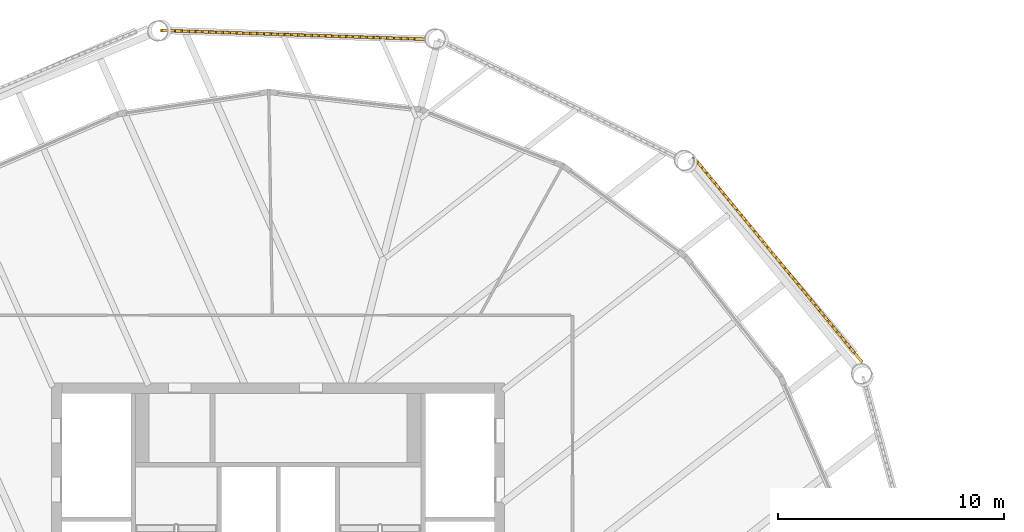
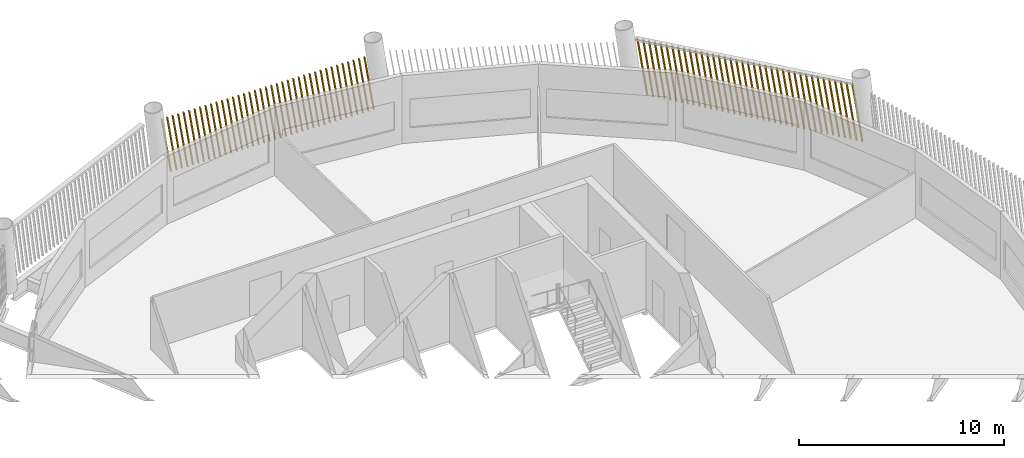
# One storey, part 27 of 28: 2 shading devices.
"""IFC4 building model written with IfcOpenShell, lengths in metres."""

from ifc_helpers import new_model, si_unit, direction, frame, frame_2d, origin, place, context, subcontext, project, spatial, rectangle, composite_profile, extrude, material, type_object, element, save


model = new_model("IFC4")

# Units and contexts
model_context = context("Model", 3, precision=1e-05, world=origin(), true_north=direction((0.0, 1.0)))
body_context = subcontext(model_context, "Body", "Model", "MODEL_VIEW")
ifc_project = project(units=[si_unit("LENGTHUNIT", "METRE"), si_unit("AREAUNIT", "SQUARE_METRE"), si_unit("VOLUMEUNIT", "CUBIC_METRE"), si_unit("PLANEANGLEUNIT", "RADIAN"), si_unit("MASSUNIT", "GRAM", prefix="KILO")], contexts=[model_context])

# Site, building, storey
site_placement = place(None, origin())
site = spatial("IfcSite", under=ifc_project, at=site_placement, CompositionType="ELEMENT")
building_placement = place(site_placement, origin())
building = spatial("IfcBuilding", under=site, at=building_placement, Name="Tarsis Ring Headquarters", CompositionType="ELEMENT")
storey_placement = place(building_placement, frame((0.0, 0.0, 381.800048828125)))
storey = spatial("IfcBuildingStorey", under=building, at=storey_placement, Name="L90", CompositionType="ELEMENT", Elevation=381.800048828125)

# Shading devices
ifc_material = material(Name="Terracotta baguette", Category="masonry")
shading_device_type = type_object("IfcShadingDeviceType", Name="Terracotta baguette screen", PredefinedType="USERDEFINED", material=ifc_material)
shading_device_1_placement = place(storey_placement, frame((25.800537109375, 13.918212890625, 0.0), z_axis=(0.0, 0.0, 1.0), x_axis=(-0.634820730966, 0.772658216859, 0.0)))
element("IfcShadingDevice", 1, at=shading_device_1_placement, inside=storey, type_object=shading_device_type, Name="Baguette screen L90-07", ObjectType="Terracotta baguette screen", PredefinedType="USERDEFINED", context=body_context, shape_type="SweptSolid", body=[
    extrude(composite_profile([rectangle(XDim=0.06005859375, YDim=0.1201171875, at=frame_2d((0.030029296875, 0.0))), rectangle(XDim=0.06005859375, YDim=0.1201171875, at=frame_2d((0.33251953125, 0.0))), rectangle(XDim=0.06005859375, YDim=0.1201171875, at=frame_2d((0.634765625, 0.0))), rectangle(XDim=0.06005859375, YDim=0.1201171875, at=frame_2d((0.937255859375, 0.0))), rectangle(XDim=0.06005859375, YDim=0.1201171875, at=frame_2d((1.239501953125, 0.0))), rectangle(XDim=0.06005859375, YDim=0.1201171875, at=frame_2d((1.5419921875, 0.0))), rectangle(XDim=0.06005859375, YDim=0.1201171875, at=frame_2d((1.844482421875, 0.0))), rectangle(XDim=0.06005859375, YDim=0.1201171875, at=frame_2d((2.146728515625, 0.0))), rectangle(XDim=0.06005859375, YDim=0.1201171875, at=frame_2d((2.44921875, 0.0))), rectangle(XDim=0.06005859375, YDim=0.1201171875, at=frame_2d((2.751708984375, 0.0))), rectangle(XDim=0.06005859375, YDim=0.1201171875, at=frame_2d((3.053955078125, 0.0))), rectangle(XDim=0.06005859375, YDim=0.1201171875, at=frame_2d((3.3564453125, 0.0))), rectangle(XDim=0.06005859375, YDim=0.1201171875, at=frame_2d((3.65869140625, 0.0))), rectangle(XDim=0.06005859375, YDim=0.1201171875, at=frame_2d((3.961181640625, 0.0))), rectangle(XDim=0.06005859375, YDim=0.1201171875, at=frame_2d((4.263671875, 0.0))), rectangle(XDim=0.06005859375, YDim=0.1201171875, at=frame_2d((4.56591796875, 0.0))), rectangle(XDim=0.06005859375, YDim=0.1201171875, at=frame_2d((4.868408203125, 0.0))), rectangle(XDim=0.06005859375, YDim=0.1201171875, at=frame_2d((5.1708984375, 0.0))), rectangle(XDim=0.06005859375, YDim=0.1201171875, at=frame_2d((5.47314453125, 0.0))), rectangle(XDim=0.06005859375, YDim=0.1201171875, at=frame_2d((5.775634765625, 0.0))), rectangle(XDim=0.06005859375, YDim=0.1201171875, at=frame_2d((6.077880859375, 0.0))), rectangle(XDim=0.06005859375, YDim=0.1201171875, at=frame_2d((6.38037109375, 0.0))), rectangle(XDim=0.06005859375, YDim=0.1201171875, at=frame_2d((6.682861328125, 0.0))), rectangle(XDim=0.06005859375, YDim=0.1201171875, at=frame_2d((6.985107421875, 0.0))), rectangle(XDim=0.06005859375, YDim=0.1201171875, at=frame_2d((7.28759765625, 0.0))), rectangle(XDim=0.06005859375, YDim=0.1201171875, at=frame_2d((7.590087890625, 0.0))), rectangle(XDim=0.06005859375, YDim=0.1201171875, at=frame_2d((7.892333984375, 0.0))), rectangle(XDim=0.06005859375, YDim=0.1201171875, at=frame_2d((8.19482421875, 0.0))), rectangle(XDim=0.06005859375, YDim=0.1201171875, at=frame_2d((8.4970703125, 0.0))), rectangle(XDim=0.06005859375, YDim=0.1201171875, at=frame_2d((8.799560546875, 0.0))), rectangle(XDim=0.06005859375, YDim=0.1201171875, at=frame_2d((9.10205078125, 0.0))), rectangle(XDim=0.06005859375, YDim=0.1201171875, at=frame_2d((9.404296875, 0.0))), rectangle(XDim=0.06005859375, YDim=0.1201171875, at=frame_2d((9.706787109375, 0.0))), rectangle(XDim=0.06005859375, YDim=0.1201171875, at=frame_2d((10.00927734375, 0.0))), rectangle(XDim=0.06005859375, YDim=0.1201171875, at=frame_2d((10.3115234375, 0.0))), rectangle(XDim=0.06005859375, YDim=0.1201171875, at=frame_2d((10.614013671875, 0.0))), rectangle(XDim=0.06005859375, YDim=0.1201171875, at=frame_2d((10.916259765625, 0.0))), rectangle(XDim=0.06005859375, YDim=0.1201171875, at=frame_2d((11.21875, 0.0)))]), origin(), (0.157202068626, 0.001425442704, 0.987565429596), 3.32177734375),
])
shading_device_2_placement = place(storey_placement, frame((6.567138671875, 28.1923828125, 0.0), z_axis=(0.0, 0.0, 1.0), x_axis=(-0.999435714906, 0.03331452383, 0.0)))
element("IfcShadingDevice", 2, at=shading_device_2_placement, inside=storey, type_object=shading_device_type, Name="Baguette screen L90-09", ObjectType="Terracotta baguette screen", PredefinedType="USERDEFINED", context=body_context, shape_type="SweptSolid", body=[
    extrude(composite_profile([rectangle(XDim=0.06005859375, YDim=0.1201171875, at=frame_2d((0.030029296875, 0.0))), rectangle(XDim=0.06005859375, YDim=0.1201171875, at=frame_2d((0.33251953125, 0.0))), rectangle(XDim=0.06005859375, YDim=0.1201171875, at=frame_2d((0.634765625, 0.0))), rectangle(XDim=0.06005859375, YDim=0.1201171875, at=frame_2d((0.937255859375, 0.0))), rectangle(XDim=0.06005859375, YDim=0.1201171875, at=frame_2d((1.239501953125, 0.0))), rectangle(XDim=0.06005859375, YDim=0.1201171875, at=frame_2d((1.5419921875, 0.0))), rectangle(XDim=0.06005859375, YDim=0.1201171875, at=frame_2d((1.844482421875, 0.0))), rectangle(XDim=0.06005859375, YDim=0.1201171875, at=frame_2d((2.146728515625, 0.0))), rectangle(XDim=0.06005859375, YDim=0.1201171875, at=frame_2d((2.44921875, 0.0))), rectangle(XDim=0.06005859375, YDim=0.1201171875, at=frame_2d((2.751708984375, 0.0))), rectangle(XDim=0.06005859375, YDim=0.1201171875, at=frame_2d((3.053955078125, 0.0))), rectangle(XDim=0.06005859375, YDim=0.1201171875, at=frame_2d((3.3564453125, 0.0))), rectangle(XDim=0.06005859375, YDim=0.1201171875, at=frame_2d((3.65869140625, 0.0))), rectangle(XDim=0.06005859375, YDim=0.1201171875, at=frame_2d((3.961181640625, 0.0))), rectangle(XDim=0.06005859375, YDim=0.1201171875, at=frame_2d((4.263671875, 0.0))), rectangle(XDim=0.06005859375, YDim=0.1201171875, at=frame_2d((4.56591796875, 0.0))), rectangle(XDim=0.06005859375, YDim=0.1201171875, at=frame_2d((4.868408203125, 0.0))), rectangle(XDim=0.06005859375, YDim=0.1201171875, at=frame_2d((5.1708984375, 0.0))), rectangle(XDim=0.06005859375, YDim=0.1201171875, at=frame_2d((5.47314453125, 0.0))), rectangle(XDim=0.06005859375, YDim=0.1201171875, at=frame_2d((5.775634765625, 0.0))), rectangle(XDim=0.06005859375, YDim=0.1201171875, at=frame_2d((6.077880859375, 0.0))), rectangle(XDim=0.06005859375, YDim=0.1201171875, at=frame_2d((6.38037109375, 0.0))), rectangle(XDim=0.06005859375, YDim=0.1201171875, at=frame_2d((6.682861328125, 0.0))), rectangle(XDim=0.06005859375, YDim=0.1201171875, at=frame_2d((6.985107421875, 0.0))), rectangle(XDim=0.06005859375, YDim=0.1201171875, at=frame_2d((7.28759765625, 0.0))), rectangle(XDim=0.06005859375, YDim=0.1201171875, at=frame_2d((7.590087890625, 0.0))), rectangle(XDim=0.06005859375, YDim=0.1201171875, at=frame_2d((7.892333984375, 0.0))), rectangle(XDim=0.06005859375, YDim=0.1201171875, at=frame_2d((8.19482421875, 0.0))), rectangle(XDim=0.06005859375, YDim=0.1201171875, at=frame_2d((8.4970703125, 0.0))), rectangle(XDim=0.06005859375, YDim=0.1201171875, at=frame_2d((8.799560546875, 0.0))), rectangle(XDim=0.06005859375, YDim=0.1201171875, at=frame_2d((9.10205078125, 0.0))), rectangle(XDim=0.06005859375, YDim=0.1201171875, at=frame_2d((9.404296875, 0.0))), rectangle(XDim=0.06005859375, YDim=0.1201171875, at=frame_2d((9.706787109375, 0.0))), rectangle(XDim=0.06005859375, YDim=0.1201171875, at=frame_2d((10.00927734375, 0.0))), rectangle(XDim=0.06005859375, YDim=0.1201171875, at=frame_2d((10.3115234375, 0.0))), rectangle(XDim=0.06005859375, YDim=0.1201171875, at=frame_2d((10.614013671875, 0.0))), rectangle(XDim=0.06005859375, YDim=0.1201171875, at=frame_2d((10.916259765625, 0.0))), rectangle(XDim=0.06005859375, YDim=0.1201171875, at=frame_2d((11.21875, 0.0)))]), origin(), (0.155201387327, 0.001409534341, 0.98788184647), 3.32080078125),
])

save(model, "model.ifc")
